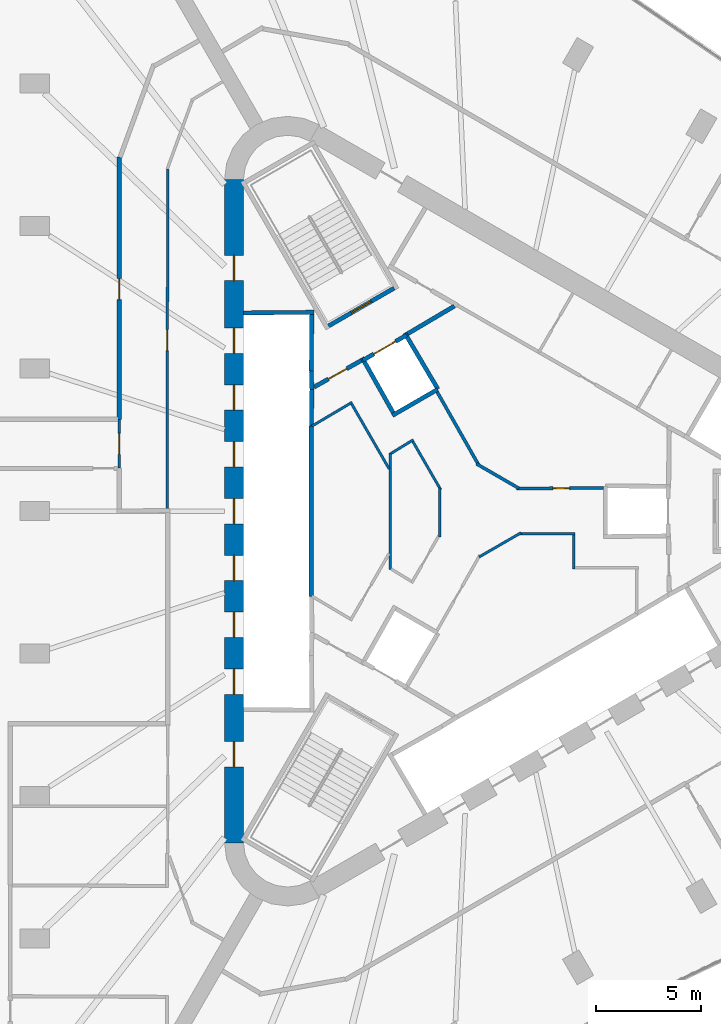
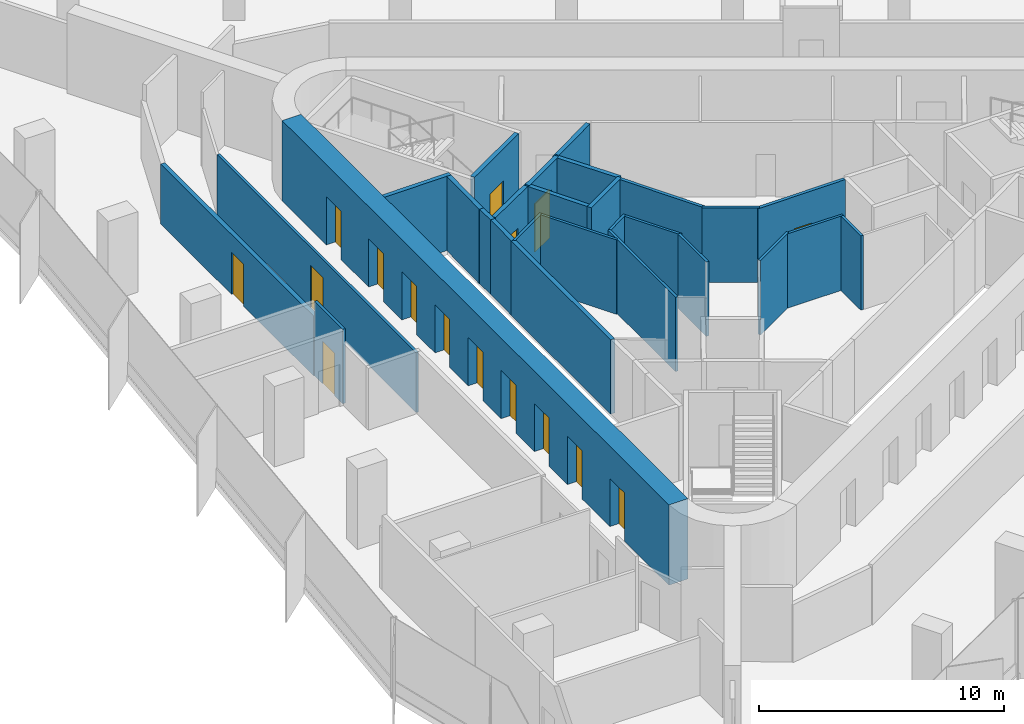
# One storey, part 10 of 13: 28 walls, 16 doors, 16 openings.
"""IFC4 building model written with IfcOpenShell, lengths in metres."""

from ifc_helpers import new_model, si_unit, direction, frame, frame_2d, origin, place, context, subcontext, project, spatial, rectangle, extrude, material, layer, layer_set, type_object, element, fill, save


model = new_model("IFC4")

# Units and contexts
model_context = context("Model", 3, precision=1e-05, world=origin(), true_north=direction((0.0, 1.0)))
body_context = subcontext(model_context, "Body", "Model", "MODEL_VIEW")
ifc_project = project(units=[si_unit("LENGTHUNIT", "METRE"), si_unit("AREAUNIT", "SQUARE_METRE"), si_unit("VOLUMEUNIT", "CUBIC_METRE"), si_unit("PLANEANGLEUNIT", "RADIAN"), si_unit("MASSUNIT", "GRAM", prefix="KILO")], contexts=[model_context])

# Site, building, storey
site_placement = place(None, origin())
site = spatial("IfcSite", under=ifc_project, at=site_placement, CompositionType="ELEMENT")
building_placement = place(site_placement, origin())
building = spatial("IfcBuilding", under=site, at=building_placement, Name="Tanit Gate Tower", CompositionType="ELEMENT")
storey_placement = place(building_placement, frame((0.0, 0.0, 269.199951171875)))
storey = spatial("IfcBuildingStorey", under=building, at=storey_placement, Name="L61", CompositionType="ELEMENT", Elevation=269.199951171875)

# Wall, openings, doors
ifc_material_1 = material(Name="Concrete C50/60", Category="concrete")
ifc_layer_1 = layer(ifc_material_1, 0.89990234375)
ifc_layer_set_1 = layer_set([ifc_layer_1], Name="CORE WALL 900 C50/60")
wall_type_1 = type_object("IfcWallType", Name="CORE WALL 900 C50/60", PredefinedType="SHEAR", material=ifc_layer_set_1)
wall_1_placement = place(storey_placement, frame((-11.64990234375, 15.76171875, 0.0), z_axis=(0.0, 0.0, 1.0), x_axis=(0.0, -1.0, 0.0)))
wall_1 = element("IfcWall", 1, at=wall_1_placement, inside=storey, type_object=wall_type_1, Name="CORE WALL", PredefinedType="SHEAR", context=body_context, shape_type="SweptSolid", body=[
    extrude(rectangle(XDim=31.5234375, YDim=0.89990234375, at=frame_2d((15.76171875, 0.0))), origin(), (0.0, 0.0, 1.0), 4.0),
])
opening_1_placement = place(wall_1_placement, frame((7.061767578125, 0.0, 0.0)))
opening_1 = element("IfcOpeningElement", 2, at=opening_1_placement, cuts=wall_1, Name="Opening LDML1-S17", PredefinedType="OPENING", context=body_context, shape_type="SweptSolid", body=[
    extrude(rectangle(XDim=1.199951171875, YDim=2.39990234375, at=frame_2d((0.60009765625, 1.199951171875))), frame((0.0, 0.4599609375, 0.0), z_axis=(0.0, -1.0, 0.0), x_axis=(1.0, 0.0, 0.0)), (0.0, 0.0, 1.0), 0.919921875),
])
opening_2_placement = place(wall_1_placement, frame((9.76171875, 0.0, 0.0)))
opening_2 = element("IfcOpeningElement", 3, at=opening_2_placement, cuts=wall_1, Name="Opening LDML2-S17", PredefinedType="OPENING", context=body_context, shape_type="SweptSolid", body=[
    extrude(rectangle(XDim=1.199951171875, YDim=2.39990234375, at=frame_2d((0.60009765625, 1.199951171875))), frame((0.0, 0.4599609375, 0.0), z_axis=(0.0, -1.0, 0.0), x_axis=(1.0, 0.0, 0.0)), (0.0, 0.0, 1.0), 0.919921875),
])
opening_3_placement = place(wall_1_placement, frame((12.461669921875, 0.0, 0.0)))
opening_3 = element("IfcOpeningElement", 4, at=opening_3_placement, cuts=wall_1, Name="Opening LDML3-S17", PredefinedType="OPENING", context=body_context, shape_type="SweptSolid", body=[
    extrude(rectangle(XDim=1.199951171875, YDim=2.39990234375, at=frame_2d((0.60009765625, 1.199951171875))), frame((0.0, 0.4599609375, 0.0), z_axis=(0.0, -1.0, 0.0), x_axis=(1.0, 0.0, 0.0)), (0.0, 0.0, 1.0), 0.919921875),
])
opening_4_placement = place(wall_1_placement, frame((15.16162109375, 0.0, 0.0)))
opening_4 = element("IfcOpeningElement", 5, at=opening_4_placement, cuts=wall_1, Name="Opening LDML4-S17", PredefinedType="OPENING", context=body_context, shape_type="SweptSolid", body=[
    extrude(rectangle(XDim=1.199951171875, YDim=2.39990234375, at=frame_2d((0.60009765625, 1.199951171875))), frame((0.0, 0.4599609375, 0.0), z_axis=(0.0, -1.0, 0.0), x_axis=(1.0, 0.0, 0.0)), (0.0, 0.0, 1.0), 0.919921875),
])
opening_5_placement = place(wall_1_placement, frame((17.86181640625, 0.0, 0.0)))
opening_5 = element("IfcOpeningElement", 6, at=opening_5_placement, cuts=wall_1, Name="Opening LDML5-S17", PredefinedType="OPENING", context=body_context, shape_type="SweptSolid", body=[
    extrude(rectangle(XDim=1.199951171875, YDim=2.39990234375, at=frame_2d((0.60009765625, 1.199951171875))), frame((0.0, 0.4599609375, 0.0), z_axis=(0.0, -1.0, 0.0), x_axis=(1.0, 0.0, 0.0)), (0.0, 0.0, 1.0), 0.919921875),
])
opening_6_placement = place(wall_1_placement, frame((20.561767578125, 0.0, 0.0)))
opening_6 = element("IfcOpeningElement", 7, at=opening_6_placement, cuts=wall_1, Name="Opening LDML6-S17", PredefinedType="OPENING", context=body_context, shape_type="SweptSolid", body=[
    extrude(rectangle(XDim=1.199951171875, YDim=2.39990234375, at=frame_2d((0.60009765625, 1.199951171875))), frame((0.0, 0.4599609375, 0.0), z_axis=(0.0, -1.0, 0.0), x_axis=(1.0, 0.0, 0.0)), (0.0, 0.0, 1.0), 0.919921875),
])
opening_7_placement = place(wall_1_placement, frame((23.26171875, 0.0, 0.0)))
opening_7 = element("IfcOpeningElement", 8, at=opening_7_placement, cuts=wall_1, Name="Opening LDML7-S17", PredefinedType="OPENING", context=body_context, shape_type="SweptSolid", body=[
    extrude(rectangle(XDim=1.199951171875, YDim=2.39990234375, at=frame_2d((0.60009765625, 1.199951171875))), frame((0.0, 0.4599609375, 0.0), z_axis=(0.0, -1.0, 0.0), x_axis=(1.0, 0.0, 0.0)), (0.0, 0.0, 1.0), 0.919921875),
])
opening_8_placement = place(wall_1_placement, frame((3.61181640625, 0.0, 0.0)))
opening_8 = element("IfcOpeningElement", 9, at=opening_8_placement, cuts=wall_1, Name="Opening F12-S17-FL2", PredefinedType="OPENING", context=body_context, shape_type="SweptSolid", body=[
    extrude(rectangle(XDim=1.199951171875, YDim=2.39990234375, at=frame_2d((0.60009765625, 1.199951171875))), frame((0.0, 0.4599609375, 0.0), z_axis=(0.0, -1.0, 0.0), x_axis=(1.0, 0.0, 0.0)), (0.0, 0.0, 1.0), 0.919921875),
])
opening_9_placement = place(wall_1_placement, frame((26.711669921875, 0.0, 0.0)))
opening_9 = element("IfcOpeningElement", 10, at=opening_9_placement, cuts=wall_1, Name="Opening F12-S17-S3", PredefinedType="OPENING", context=body_context, shape_type="SweptSolid", body=[
    extrude(rectangle(XDim=1.199951171875, YDim=2.39990234375, at=frame_2d((0.60009765625, 1.199951171875))), frame((0.0, 0.4599609375, 0.0), z_axis=(0.0, -1.0, 0.0), x_axis=(1.0, 0.0, 0.0)), (0.0, 0.0, 1.0), 0.919921875),
])
ifc_material_2 = material(Name="Fire-rated steel door leaf", Category="steel")
door_type_1 = type_object("IfcDoorType", Name="INT-DOOR-FIRE-LOBBY-1200", OperationType="NOTDEFINED", PredefinedType="USERDEFINED", material=ifc_material_2)
door_1_placement = place(opening_8_placement, origin())
door_1 = element("IfcDoor", 11, at=door_1_placement, inside=storey, type_object=door_type_1, Name="Door F12-S17-FL2", ObjectType="FIRE DOOR", OperationType="SINGLE_SWING_LEFT", OverallHeight=2.39990234375, OverallWidth=1.199951171875, PredefinedType="USERDEFINED", context=body_context, shape_type="SweptSolid", body=[
    extrude(rectangle(XDim=1.199951171875, YDim=2.39990234375, at=frame_2d((0.60009765625, 1.199951171875))), frame((0.0, 0.02490234375, 0.0), z_axis=(0.0, -1.0, 0.0), x_axis=(1.0, 0.0, 0.0)), (0.0, 0.0, 1.0), 0.050048828125),
])
fill(opening_8, door_1)
door_2_placement = place(opening_9_placement, origin())
door_2 = element("IfcDoor", 12, at=door_2_placement, inside=storey, type_object=door_type_1, Name="Door F12-S17-S3", ObjectType="FIRE DOOR", OperationType="SINGLE_SWING_LEFT", OverallHeight=2.39990234375, OverallWidth=1.199951171875, PredefinedType="USERDEFINED", context=body_context, shape_type="SweptSolid", body=[
    extrude(rectangle(XDim=1.199951171875, YDim=2.39990234375, at=frame_2d((0.60009765625, 1.199951171875))), frame((0.0, 0.02490234375, 0.0), z_axis=(0.0, -1.0, 0.0), x_axis=(1.0, 0.0, 0.0)), (0.0, 0.0, 1.0), 0.050048828125),
])
fill(opening_9, door_2)
ifc_material_3 = material(Name="Stainless steel sliding door leaf", Category="steel")
door_type_2 = type_object("IfcDoorType", Name="INT-DOOR-LANDING-1200", OperationType="NOTDEFINED", PredefinedType="USERDEFINED", material=ifc_material_3)
door_3_placement = place(opening_1_placement, origin())
door_3 = element("IfcDoor", 13, at=door_3_placement, inside=storey, type_object=door_type_2, Name="Door LDML1-S17", ObjectType="LANDING DOOR", OperationType="SLIDING_TO_LEFT", OverallHeight=2.39990234375, OverallWidth=1.199951171875, PredefinedType="USERDEFINED", context=body_context, shape_type="SweptSolid", body=[
    extrude(rectangle(XDim=1.199951171875, YDim=2.39990234375, at=frame_2d((0.60009765625, 1.199951171875))), frame((0.0, 0.02490234375, 0.0), z_axis=(0.0, -1.0, 0.0), x_axis=(1.0, 0.0, 0.0)), (0.0, 0.0, 1.0), 0.050048828125),
])
fill(opening_1, door_3)
door_4_placement = place(opening_2_placement, origin())
door_4 = element("IfcDoor", 14, at=door_4_placement, inside=storey, type_object=door_type_2, Name="Door LDML2-S17", ObjectType="LANDING DOOR", OperationType="SLIDING_TO_LEFT", OverallHeight=2.39990234375, OverallWidth=1.199951171875, PredefinedType="USERDEFINED", context=body_context, shape_type="SweptSolid", body=[
    extrude(rectangle(XDim=1.199951171875, YDim=2.39990234375, at=frame_2d((0.60009765625, 1.199951171875))), frame((0.0, 0.02490234375, 0.0), z_axis=(0.0, -1.0, 0.0), x_axis=(1.0, 0.0, 0.0)), (0.0, 0.0, 1.0), 0.050048828125),
])
fill(opening_2, door_4)
door_5_placement = place(opening_3_placement, origin())
door_5 = element("IfcDoor", 15, at=door_5_placement, inside=storey, type_object=door_type_2, Name="Door LDML3-S17", ObjectType="LANDING DOOR", OperationType="SLIDING_TO_LEFT", OverallHeight=2.39990234375, OverallWidth=1.199951171875, PredefinedType="USERDEFINED", context=body_context, shape_type="SweptSolid", body=[
    extrude(rectangle(XDim=1.199951171875, YDim=2.39990234375, at=frame_2d((0.60009765625, 1.199951171875))), frame((0.0, 0.02490234375, 0.0), z_axis=(0.0, -1.0, 0.0), x_axis=(1.0, 0.0, 0.0)), (0.0, 0.0, 1.0), 0.050048828125),
])
fill(opening_3, door_5)
door_6_placement = place(opening_4_placement, origin())
door_6 = element("IfcDoor", 16, at=door_6_placement, inside=storey, type_object=door_type_2, Name="Door LDML4-S17", ObjectType="LANDING DOOR", OperationType="SLIDING_TO_LEFT", OverallHeight=2.39990234375, OverallWidth=1.199951171875, PredefinedType="USERDEFINED", context=body_context, shape_type="SweptSolid", body=[
    extrude(rectangle(XDim=1.199951171875, YDim=2.39990234375, at=frame_2d((0.60009765625, 1.199951171875))), frame((0.0, 0.02490234375, 0.0), z_axis=(0.0, -1.0, 0.0), x_axis=(1.0, 0.0, 0.0)), (0.0, 0.0, 1.0), 0.050048828125),
])
fill(opening_4, door_6)
door_7_placement = place(opening_5_placement, origin())
door_7 = element("IfcDoor", 17, at=door_7_placement, inside=storey, type_object=door_type_2, Name="Door LDML5-S17", ObjectType="LANDING DOOR", OperationType="SLIDING_TO_LEFT", OverallHeight=2.39990234375, OverallWidth=1.199951171875, PredefinedType="USERDEFINED", context=body_context, shape_type="SweptSolid", body=[
    extrude(rectangle(XDim=1.199951171875, YDim=2.39990234375, at=frame_2d((0.60009765625, 1.199951171875))), frame((0.0, 0.02490234375, 0.0), z_axis=(0.0, -1.0, 0.0), x_axis=(1.0, 0.0, 0.0)), (0.0, 0.0, 1.0), 0.050048828125),
])
fill(opening_5, door_7)
door_8_placement = place(opening_6_placement, origin())
door_8 = element("IfcDoor", 18, at=door_8_placement, inside=storey, type_object=door_type_2, Name="Door LDML6-S17", ObjectType="LANDING DOOR", OperationType="SLIDING_TO_LEFT", OverallHeight=2.39990234375, OverallWidth=1.199951171875, PredefinedType="USERDEFINED", context=body_context, shape_type="SweptSolid", body=[
    extrude(rectangle(XDim=1.199951171875, YDim=2.39990234375, at=frame_2d((0.60009765625, 1.199951171875))), frame((0.0, 0.02490234375, 0.0), z_axis=(0.0, -1.0, 0.0), x_axis=(1.0, 0.0, 0.0)), (0.0, 0.0, 1.0), 0.050048828125),
])
fill(opening_6, door_8)
door_9_placement = place(opening_7_placement, origin())
door_9 = element("IfcDoor", 19, at=door_9_placement, inside=storey, type_object=door_type_2, Name="Door LDML7-S17", ObjectType="LANDING DOOR", OperationType="SLIDING_TO_LEFT", OverallHeight=2.39990234375, OverallWidth=1.199951171875, PredefinedType="USERDEFINED", context=body_context, shape_type="SweptSolid", body=[
    extrude(rectangle(XDim=1.199951171875, YDim=2.39990234375, at=frame_2d((0.60009765625, 1.199951171875))), frame((0.0, 0.02490234375, 0.0), z_axis=(0.0, -1.0, 0.0), x_axis=(1.0, 0.0, 0.0)), (0.0, 0.0, 1.0), 0.050048828125),
])
fill(opening_7, door_9)

# Wall
ifc_material_4 = material(Name="Fire-rated gypsum board partition")
ifc_layer_2 = layer(ifc_material_4, 0.199951171875)
ifc_layer_set_2 = layer_set([ifc_layer_2], Name="INT-WALL-COMPARTMENT")
wall_type_2 = type_object("IfcWallType", Name="INT-WALL-COMPARTMENT", PredefinedType="PARTITIONING", material=ifc_layer_set_2)
wall_2_placement = place(storey_placement, frame((-1.1787109375, 9.744873046875, 0.0), z_axis=(0.0, 0.0, 1.0), x_axis=(-0.860630814782, -0.509229418482, 0.0)))
element("IfcWall", 20, at=wall_2_placement, inside=storey, type_object=wall_type_2, Name="Wall Compartment W061", PredefinedType="PARTITIONING", context=body_context, shape_type="SweptSolid", body=[
    extrude(rectangle(XDim=2.581787109375, YDim=0.199951171875, at=frame_2d((1.291015625, 0.0))), origin(), (0.0, 0.0, 1.0), 3.699951171875),
])

# Wall, opening, door
wall_3_placement = place(storey_placement, frame((-5.600341796875, 7.16015625, 0.0), z_axis=(0.0, 0.0, 1.0), x_axis=(-0.871363259478, -0.490638431059, 0.0)))
wall_3 = element("IfcWall", 21, at=wall_3_placement, inside=storey, type_object=wall_type_2, Name="Wall Compartment W062", PredefinedType="PARTITIONING", context=body_context, shape_type="SweptSolid", body=[
    extrude(rectangle(XDim=2.5810546875, YDim=0.199951171875, at=frame_2d((1.29052734375, 0.0))), origin(), (0.0, 0.0, 1.0), 3.699951171875),
])
opening_10_placement = place(wall_3_placement, frame((0.79052734375, 0.0, 0.0)))
opening_10 = element("IfcOpeningElement", 22, at=opening_10_placement, cuts=wall_3, Name="Opening F10-S17-05", PredefinedType="OPENING", context=body_context, shape_type="SweptSolid", body=[
    extrude(rectangle(XDim=1.0, YDim=2.10009765625, at=frame_2d((0.5, 1.050048828125))), frame((0.0, 0.10986328125, 0.0), z_axis=(0.0, -1.0, 0.0), x_axis=(1.0, 0.0, 0.0)), (0.0, 0.0, 1.0), 0.219970703125),
])
ifc_material_5 = material(Name="Fire-rated steel door leaf", Category="steel")
door_type_3 = type_object("IfcDoorType", Name="INT-DOOR-FIRE-1000", OperationType="NOTDEFINED", PredefinedType="USERDEFINED", material=ifc_material_5)
door_10_placement = place(opening_10_placement, origin())
door_10 = element("IfcDoor", 23, at=door_10_placement, inside=storey, type_object=door_type_3, Name="Door F10-S17-05", ObjectType="FIRE DOOR", OperationType="SINGLE_SWING_RIGHT", OverallHeight=2.10009765625, OverallWidth=1.0, PredefinedType="USERDEFINED", context=body_context, shape_type="SweptSolid", body=[
    extrude(rectangle(XDim=1.0, YDim=2.10009765625, at=frame_2d((0.5, 1.050048828125))), frame((0.0, 0.02490234375, 0.0), z_axis=(0.0, -1.0, 0.0), x_axis=(1.0, 0.0, 0.0)), (0.0, 0.0, 1.0), 0.050048828125),
])
fill(opening_10, door_10)

wall_4_placement = place(storey_placement, frame((-17.10009765625, 16.82275390625, 0.0), z_axis=(0.0, 0.0, 1.0), x_axis=(0.0, -1.0, 0.0)))
wall_4 = element("IfcWall", 24, at=wall_4_placement, inside=storey, type_object=wall_type_2, Name="Wall Compartment W090", PredefinedType="PARTITIONING", context=body_context, shape_type="SweptSolid", body=[
    extrude(rectangle(XDim=12.47265625, YDim=0.199951171875, at=frame_2d((6.236328125, 0.0))), origin(), (0.0, 0.0, 1.0), 2.97998046875),
])
opening_11_placement = place(wall_4_placement, frame((5.7763671875, 0.0, 0.0)))
opening_11 = element("IfcOpeningElement", 25, at=opening_11_placement, cuts=wall_4, Name="Opening F10-S17-28", PredefinedType="OPENING", context=body_context, shape_type="SweptSolid", body=[
    extrude(rectangle(XDim=1.0, YDim=2.10009765625, at=frame_2d((0.5, 1.050048828125))), frame((0.0, 0.10986328125, 0.0), z_axis=(0.0, -1.0, 0.0), x_axis=(1.0, 0.0, 0.0)), (0.0, 0.0, 1.0), 0.219970703125),
])
door_11_placement = place(opening_11_placement, origin())
door_11 = element("IfcDoor", 26, at=door_11_placement, inside=storey, type_object=door_type_3, Name="Door F10-S17-28", ObjectType="FIRE DOOR", OperationType="SINGLE_SWING_RIGHT", OverallHeight=2.10009765625, OverallWidth=1.0, PredefinedType="USERDEFINED", context=body_context, shape_type="SweptSolid", body=[
    extrude(rectangle(XDim=1.0, YDim=2.10009765625, at=frame_2d((0.5, 1.050048828125))), frame((0.0, 0.02490234375, 0.0), z_axis=(0.0, -1.0, 0.0), x_axis=(1.0, 0.0, 0.0)), (0.0, 0.0, 1.0), 0.050048828125),
])
fill(opening_11, door_11)

# Walls
ifc_material_6 = material(Name="Gypsum board partition")
ifc_layer_3 = layer(ifc_material_6, 0.1201171875)
ifc_layer_set_3 = layer_set([ifc_layer_3], Name="INT-WALL-PARTITION")
wall_type_3 = type_object("IfcWallType", Name="INT-WALL-PARTITION", PredefinedType="PARTITIONING", material=ifc_layer_set_3)
wall_5_placement = place(storey_placement, frame((1.995361328125, -1.02294921875, 0.0), z_axis=(0.0, 0.0, 1.0), x_axis=(-0.866043041921, -0.499969448606, 0.0)))
element("IfcWall", 27, at=wall_5_placement, inside=storey, type_object=wall_type_3, Name="Wall Partition W069", PredefinedType="PARTITIONING", context=body_context, shape_type="SweptSolid", body=[
    extrude(rectangle(XDim=2.310302734375, YDim=0.1201171875, at=frame_2d((1.1552734375, 0.0))), origin(), (0.0, 0.0, 1.0), 3.699951171875),
])
wall_6_placement = place(storey_placement, frame((4.56005859375, -1.074951171875, 0.0), z_axis=(0.0, 0.0, 1.0), x_axis=(-1.0, 0.0, 0.0)))
element("IfcWall", 28, at=wall_6_placement, inside=storey, type_object=wall_type_3, Name="Wall Partition W070", PredefinedType="PARTITIONING", context=body_context, shape_type="SweptSolid", body=[
    extrude(rectangle(XDim=2.63623046875, YDim=0.1201171875, at=frame_2d((1.318115234375, 0.0))), origin(), (0.0, 0.0, 1.0), 3.699951171875),
])
wall_7_placement = place(storey_placement, frame((4.5, -2.760009765625, 0.0), z_axis=(0.0, 0.0, 1.0), x_axis=(0.0, 1.0, 0.0)))
element("IfcWall", 29, at=wall_7_placement, inside=storey, type_object=wall_type_3, Name="Wall Partition W071", PredefinedType="PARTITIONING", context=body_context, shape_type="SweptSolid", body=[
    extrude(rectangle(XDim=1.625, YDim=0.1201171875, at=frame_2d((0.8125, 0.0))), origin(), (0.0, 0.0, 1.0), 3.699951171875),
])
wall_8_placement = place(storey_placement, frame((-4.21875, -2.760498046875, 0.0), z_axis=(0.0, 0.0, 1.0), x_axis=(0.0, 1.0, 0.0)))
element("IfcWall", 30, at=wall_8_placement, inside=storey, type_object=wall_type_3, Name="Wall Partition W074", PredefinedType="PARTITIONING", context=body_context, shape_type="SweptSolid", body=[
    extrude(rectangle(XDim=5.52099609375, YDim=0.1201171875, at=frame_2d((2.760498046875, 0.0))), origin(), (0.0, 0.0, 1.0), 3.699951171875),
])
wall_9_placement = place(storey_placement, frame((-6.03662109375, 5.17578125, 0.0), z_axis=(0.0, 0.0, 1.0), x_axis=(-0.860106072674, -0.510115225953, 0.0)))
element("IfcWall", 31, at=wall_9_placement, inside=storey, type_object=wall_type_3, Name="Wall Partition W077", PredefinedType="PARTITIONING", context=body_context, shape_type="SweptSolid", body=[
    extrude(rectangle(XDim=2.224609375, YDim=0.1201171875, at=frame_2d((1.1123046875, 0.0))), origin(), (0.0, 0.0, 1.0), 3.699951171875),
])
wall_10_placement = place(storey_placement, frame((-4.27880859375, 2.01123046875, 0.0), z_axis=(0.0, 0.0, 1.0), x_axis=(-0.500027278734, 0.866009653827, 0.0)))
element("IfcWall", 32, at=wall_10_placement, inside=storey, type_object=wall_type_3, Name="Wall Partition W078", PredefinedType="PARTITIONING", context=body_context, shape_type="SweptSolid", body=[
    extrude(rectangle(XDim=3.558837890625, YDim=0.1201171875, at=frame_2d((1.779296875, 0.0))), origin(), (0.0, 0.0, 1.0), 3.699951171875),
])
wall_11_placement = place(storey_placement, frame((-3.1298828125, 3.390869140625, 0.0), z_axis=(0.0, 0.0, 1.0), x_axis=(-0.853228335638, -0.521537541567, 0.0)))
element("IfcWall", 33, at=wall_11_placement, inside=storey, type_object=wall_type_3, Name="Wall Partition W079", PredefinedType="PARTITIONING", context=body_context, shape_type="SweptSolid", body=[
    extrude(rectangle(XDim=1.240966796875, YDim=0.1201171875, at=frame_2d((0.62060546875, 0.0))), origin(), (0.0, 0.0, 1.0), 3.699951171875),
])
wall_12_placement = place(storey_placement, frame((-1.83154296875, 1.0224609375, 0.0), z_axis=(0.0, 0.0, 1.0), x_axis=(-0.500000102728, 0.866025344474, 0.0)))
element("IfcWall", 34, at=wall_12_placement, inside=storey, type_object=wall_type_3, Name="Wall Partition W080", PredefinedType="PARTITIONING", context=body_context, shape_type="SweptSolid", body=[
    extrude(rectangle(XDim=2.638671875, YDim=0.1201171875, at=frame_2d((1.3193359375, 0.0))), origin(), (0.0, 0.0, 1.0), 3.699951171875),
])
wall_13_placement = place(storey_placement, frame((-1.883544921875, -1.21630859375, 0.0), z_axis=(0.0, 0.0, 1.0), x_axis=(0.0, 1.0, 0.0)))
element("IfcWall", 35, at=wall_13_placement, inside=storey, type_object=wall_type_3, Name="Wall Partition W081", PredefinedType="PARTITIONING", context=body_context, shape_type="SweptSolid", body=[
    extrude(rectangle(XDim=2.310302734375, YDim=0.1201171875, at=frame_2d((1.1552734375, 0.0))), origin(), (0.0, 0.0, 1.0), 3.699951171875),
])

# Wall, opening, door
wall_14_placement = place(storey_placement, frame((-14.800048828125, 16.257080078125, 0.0), z_axis=(0.0, 0.0, 1.0), x_axis=(-0.001847148781, -0.999998294019, 0.0)))
wall_14 = element("IfcWall", 36, at=wall_14_placement, inside=storey, type_object=wall_type_3, Name="Wall Partition W086", PredefinedType="PARTITIONING", context=body_context, shape_type="SweptSolid", body=[
    extrude(rectangle(XDim=16.257080078125, YDim=0.1201171875, at=frame_2d((8.12841796875, 0.0))), origin(), (0.0, 0.0, 1.0), 2.97998046875),
])
opening_12_placement = place(wall_14_placement, frame((7.628662109375, 0.0, 0.0)))
opening_12 = element("IfcOpeningElement", 37, at=opening_12_placement, cuts=wall_14, Name="Opening D10-S17-19", PredefinedType="OPENING", context=body_context, shape_type="SweptSolid", body=[
    extrude(rectangle(XDim=1.0, YDim=2.10009765625, at=frame_2d((0.5, 1.050048828125))), frame((0.0, 0.070068359375, 0.0), z_axis=(0.0, -1.0, 0.0), x_axis=(1.0, 0.0, 0.0)), (0.0, 0.0, 1.0), 0.14013671875),
])
ifc_material_7 = material(Name="Timber door leaf", Category="wood")
door_type_4 = type_object("IfcDoorType", Name="INT-DOOR-SINGLE-1000", OperationType="NOTDEFINED", PredefinedType="NOTDEFINED", material=ifc_material_7)
door_12_placement = place(opening_12_placement, origin())
door_12 = element("IfcDoor", 38, at=door_12_placement, inside=storey, type_object=door_type_4, Name="Door D10-S17-19", OperationType="SINGLE_SWING_LEFT", OverallHeight=2.10009765625, OverallWidth=1.0, PredefinedType="NOTDEFINED", context=body_context, shape_type="SweptSolid", body=[
    extrude(rectangle(XDim=1.0, YDim=2.10009765625, at=frame_2d((0.5, 1.050048828125))), frame((0.0, 0.02490234375, 0.0), z_axis=(0.0, -1.0, 0.0), x_axis=(1.0, 0.0, 0.0)), (0.0, 0.0, 1.0), 0.050048828125),
])
fill(opening_12, door_12)

wall_15_placement = place(storey_placement, frame((-17.10009765625, 4.35009765625, 0.0), z_axis=(0.0, 0.0, 1.0), x_axis=(0.0, -1.0, 0.0)))
wall_15 = element("IfcWall", 39, at=wall_15_placement, inside=storey, type_object=wall_type_3, Name="Wall Partition W087", PredefinedType="PARTITIONING", context=body_context, shape_type="SweptSolid", body=[
    extrude(rectangle(XDim=2.300048828125, YDim=0.1201171875, at=frame_2d((1.14990234375, 0.0))), origin(), (0.0, 0.0, 1.0), 3.699951171875),
])
opening_13_placement = place(wall_15_placement, frame((0.64990234375, 0.0, 0.0)))
opening_13 = element("IfcOpeningElement", 40, at=opening_13_placement, cuts=wall_15, Name="Opening D10-S17-20", PredefinedType="OPENING", context=body_context, shape_type="SweptSolid", body=[
    extrude(rectangle(XDim=1.0, YDim=2.10009765625, at=frame_2d((0.5, 1.050048828125))), frame((0.0, 0.070068359375, 0.0), z_axis=(0.0, -1.0, 0.0), x_axis=(1.0, 0.0, 0.0)), (0.0, 0.0, 1.0), 0.14013671875),
])
door_13_placement = place(opening_13_placement, origin())
door_13 = element("IfcDoor", 41, at=door_13_placement, inside=storey, type_object=door_type_4, Name="Door D10-S17-20", OperationType="SINGLE_SWING_LEFT", OverallHeight=2.10009765625, OverallWidth=1.0, PredefinedType="NOTDEFINED", context=body_context, shape_type="SweptSolid", body=[
    extrude(rectangle(XDim=1.0, YDim=2.10009765625, at=frame_2d((0.5, 1.050048828125))), frame((0.0, 0.02490234375, 0.0), z_axis=(0.0, -1.0, 0.0), x_axis=(1.0, 0.0, 0.0)), (0.0, 0.0, 1.0), 0.050048828125),
])
fill(opening_13, door_13)

ifc_material_8 = material(Name="Fire-rated gypsum board partition")
ifc_layer_4 = layer(ifc_material_8, 0.14990234375)
ifc_layer_set_4 = layer_set([ifc_layer_4], Name="INT-WALL-RISER")
wall_type_4 = type_object("IfcWallType", Name="INT-WALL-RISER", PredefinedType="PLUMBINGWALL", material=ifc_layer_set_4)
wall_16_placement = place(storey_placement, frame((1.777587890625, 1.073974609375, 0.0), z_axis=(0.0, 0.0, 1.0), x_axis=(0.999973898196, 0.007225159347, 0.0)))
wall_16 = element("IfcWall", 42, at=wall_16_placement, inside=storey, type_object=wall_type_4, Name="Wall Riser W065", PredefinedType="PLUMBINGWALL", context=body_context, shape_type="SweptSolid", body=[
    extrude(rectangle(XDim=4.122314453125, YDim=0.14990234375, at=frame_2d((2.06103515625, 0.0))), origin(), (0.0, 0.0, 1.0), 3.699951171875),
])
opening_14_placement = place(wall_16_placement, frame((1.72509765625, 0.0, 0.0)))
opening_14 = element("IfcOpeningElement", 43, at=opening_14_placement, cuts=wall_16, Name="Opening R08-S17-10", PredefinedType="OPENING", context=body_context, shape_type="SweptSolid", body=[
    extrude(rectangle(XDim=0.800048828125, YDim=2.10009765625, at=frame_2d((0.39990234375, 1.050048828125))), frame((0.0, 0.0849609375, 0.0), z_axis=(0.0, -1.0, 0.0), x_axis=(1.0, 0.0, 0.0)), (0.0, 0.0, 1.0), 0.169921875),
])
ifc_material_9 = material(Name="Timber door leaf", Category="wood")
door_type_5 = type_object("IfcDoorType", Name="INT-DOOR-RISER-800", OperationType="NOTDEFINED", PredefinedType="USERDEFINED", material=ifc_material_9)
door_14_placement = place(opening_14_placement, origin())
door_14 = element("IfcDoor", 44, at=door_14_placement, inside=storey, type_object=door_type_5, Name="Door R08-S17-10", ObjectType="FIRE DOOR", OperationType="SINGLE_SWING_RIGHT", OverallHeight=2.10009765625, OverallWidth=0.800048828125, PredefinedType="USERDEFINED", context=body_context, shape_type="SweptSolid", body=[
    extrude(rectangle(XDim=0.800048828125, YDim=2.10009765625, at=frame_2d((0.39990234375, 1.050048828125))), frame((0.0, 0.02490234375, 0.0), z_axis=(0.0, -1.0, 0.0), x_axis=(1.0, 0.0, 0.0)), (0.0, 0.0, 1.0), 0.050048828125),
])
fill(opening_14, door_14)

# Walls
wall_17_placement = place(storey_placement, frame((-0.13232421875, 2.25146484375, 0.0), z_axis=(0.0, 0.0, 1.0), x_axis=(0.866028486751, -0.499994660107, 0.0)))
element("IfcWall", 45, at=wall_17_placement, inside=storey, type_object=wall_type_4, Name="Wall Riser W066", PredefinedType="PLUMBINGWALL", context=body_context, shape_type="SweptSolid", body=[
    extrude(rectangle(XDim=2.3291015625, YDim=0.14990234375, at=frame_2d((1.16455078125, 0.0))), origin(), (0.0, 0.0, 1.0), 3.699951171875),
])
wall_18_placement = place(storey_placement, frame((-1.994140625, 5.661376953125, 0.0), z_axis=(0.0, 0.0, 1.0), x_axis=(0.493780191404, -0.869586753911, 0.0)))
element("IfcWall", 46, at=wall_18_placement, inside=storey, type_object=wall_type_4, Name="Wall Riser W067", PredefinedType="PLUMBINGWALL", context=body_context, shape_type="SweptSolid", body=[
    extrude(rectangle(XDim=3.97119140625, YDim=0.14990234375, at=frame_2d((1.985595703125, 0.0))), origin(), (0.0, 0.0, 1.0), 3.699951171875),
])
ifc_material_10 = material(Name="Gypsum shaft wall system")
ifc_layer_5 = layer(ifc_material_10, 0.199951171875)
ifc_layer_set_5 = layer_set([ifc_layer_5], Name="INT-WALL-SHAFT")
wall_type_5 = type_object("IfcWallType", Name="INT-WALL-SHAFT", PredefinedType="PLUMBINGWALL", material=ifc_layer_set_5)
wall_19_placement = place(storey_placement, frame((-11.199951171875, 9.419921875, 0.0), z_axis=(0.0, 0.0, 1.0), x_axis=(0.999957167047, 0.009255488683, 0.0)))
element("IfcWall", 47, at=wall_19_placement, inside=storey, type_object=wall_type_5, Name="Wall Shaft W001", PredefinedType="PLUMBINGWALL", context=body_context, shape_type="SweptSolid", body=[
    extrude(rectangle(XDim=3.35009765625, YDim=0.199951171875, at=frame_2d((1.675048828125, 0.0))), origin(), (0.0, 0.0, 1.0), 3.699951171875),
])
wall_20_placement = place(storey_placement, frame((-7.951171875, 9.35009765625, 0.0), z_axis=(0.0, 0.0, 1.0), x_axis=(-0.011120469654, -0.999938165666, 0.0)))
element("IfcWall", 48, at=wall_20_placement, inside=storey, type_object=wall_type_5, Name="Wall Shaft W002", PredefinedType="PLUMBINGWALL", context=body_context, shape_type="SweptSolid", body=[
    extrude(rectangle(XDim=2.700439453125, YDim=0.199951171875, at=frame_2d((1.35009765625, 0.0))), origin(), (0.0, 0.0, 1.0), 3.699951171875),
])
wall_21_placement = place(storey_placement, frame((-7.97705078125, 6.650146484375, 0.0), z_axis=(0.0, 0.0, 1.0), x_axis=(0.030861509705, -0.999523670164, 0.0)))
element("IfcWall", 49, at=wall_21_placement, inside=storey, type_object=wall_type_5, Name="Wall Shaft W003", PredefinedType="PLUMBINGWALL", context=body_context, shape_type="SweptSolid", body=[
    extrude(rectangle(XDim=0.878173828125, YDim=0.199951171875, at=frame_2d((0.43896484375, 0.0))), origin(), (0.0, 0.0, 1.0), 3.699951171875),
])
wall_22_placement = place(storey_placement, frame((-7.94921875, 5.894775390625, 0.0), z_axis=(0.0, 0.0, 1.0), x_axis=(-0.012042535896, -0.999927486035, 0.0)))
element("IfcWall", 50, at=wall_22_placement, inside=storey, type_object=wall_type_5, Name="Wall Shaft W004", PredefinedType="PLUMBINGWALL", context=body_context, shape_type="SweptSolid", body=[
    extrude(rectangle(XDim=1.844970703125, YDim=0.199951171875, at=frame_2d((0.92236328125, 0.0))), origin(), (0.0, 0.0, 1.0), 3.699951171875),
])
wall_23_placement = place(storey_placement, frame((-7.97998046875, 4.050048828125, 0.0), z_axis=(0.0, 0.0, 1.0), x_axis=(0.0, -1.0, 0.0)))
element("IfcWall", 51, at=wall_23_placement, inside=storey, type_object=wall_type_5, Name="Wall Shaft W005", PredefinedType="PLUMBINGWALL", context=body_context, shape_type="SweptSolid", body=[
    extrude(rectangle(XDim=8.10009765625, YDim=0.199951171875, at=frame_2d((4.050048828125, 0.0))), origin(), (0.0, 0.0, 1.0), 3.699951171875),
])

# Wall, opening, door
wall_24_placement = place(storey_placement, frame((-5.524169921875, 7.168212890625, 0.0), z_axis=(0.0, 0.0, 1.0), x_axis=(0.866024647952, 0.500001309137, 0.0)))
wall_24 = element("IfcWall", 52, at=wall_24_placement, inside=storey, type_object=wall_type_5, Name="Wall Shaft W037", PredefinedType="PLUMBINGWALL", context=body_context, shape_type="SweptSolid", body=[
    extrude(rectangle(XDim=2.39990234375, YDim=0.199951171875, at=frame_2d((1.199951171875, 0.0))), origin(), (0.0, 0.0, 1.0), 3.699951171875),
])
opening_15_placement = place(wall_24_placement, frame((0.60009765625, 0.0, 0.0)))
opening_15 = element("IfcOpeningElement", 53, at=opening_15_placement, cuts=wall_24, Name="Opening LDFL2-L61", PredefinedType="OPENING", context=body_context, shape_type="SweptSolid", body=[
    extrude(rectangle(XDim=1.199951171875, YDim=2.39990234375, at=frame_2d((0.60009765625, 1.199951171875))), frame((0.0, 0.10986328125, 0.0), z_axis=(0.0, -1.0, 0.0), x_axis=(1.0, 0.0, 0.0)), (0.0, 0.0, 1.0), 0.219970703125),
])
door_15_placement = place(opening_15_placement, origin())
door_15 = element("IfcDoor", 54, at=door_15_placement, inside=storey, type_object=door_type_2, Name="Door LDFL2-L61", ObjectType="LANDING DOOR", OperationType="SLIDING_TO_LEFT", OverallHeight=2.39990234375, OverallWidth=1.199951171875, PredefinedType="USERDEFINED", context=body_context, shape_type="SweptSolid", body=[
    extrude(rectangle(XDim=1.199951171875, YDim=2.39990234375, at=frame_2d((0.60009765625, 1.199951171875))), frame((0.0, 0.02490234375, 0.0), z_axis=(0.0, -1.0, 0.0), x_axis=(1.0, 0.0, 0.0)), (0.0, 0.0, 1.0), 0.050048828125),
])
fill(opening_15, door_15)

# Walls
wall_25_placement = place(storey_placement, frame((-3.53759765625, 8.46533203125, 0.0), z_axis=(0.0, 0.0, 1.0), x_axis=(0.508647062354, -0.860975125052, 0.0)))
element("IfcWall", 55, at=wall_25_placement, inside=storey, type_object=wall_type_5, Name="Wall Shaft W038", PredefinedType="PLUMBINGWALL", context=body_context, shape_type="SweptSolid", body=[
    extrude(rectangle(XDim=3.10009765625, YDim=0.199951171875, at=frame_2d((1.550048828125, 0.0))), origin(), (0.0, 0.0, 1.0), 3.699951171875),
])
wall_26_placement = place(storey_placement, frame((-1.978515625, 5.785888671875, 0.0), z_axis=(0.0, 0.0, 1.0), x_axis=(-0.866016689309, -0.500015093611, 0.0)))
element("IfcWall", 56, at=wall_26_placement, inside=storey, type_object=wall_type_5, Name="Wall Shaft W039", PredefinedType="PLUMBINGWALL", context=body_context, shape_type="SweptSolid", body=[
    extrude(rectangle(XDim=2.4794921875, YDim=0.199951171875, at=frame_2d((1.23974609375, 0.0))), origin(), (0.0, 0.0, 1.0), 3.699951171875),
])
wall_27_placement = place(storey_placement, frame((-5.5625, 7.29638671875, 0.0), z_axis=(0.0, 0.0, 1.0), x_axis=(0.49134651263, -0.870964180966, 0.0)))
element("IfcWall", 57, at=wall_27_placement, inside=storey, type_object=wall_type_5, Name="Wall Shaft W040", PredefinedType="PLUMBINGWALL", context=body_context, shape_type="SweptSolid", body=[
    extrude(rectangle(XDim=3.000244140625, YDim=0.199951171875, at=frame_2d((1.5, 0.0))), origin(), (0.0, 0.0, 1.0), 3.699951171875),
])

# Wall, opening, door
ifc_material_11 = material(Name="Concrete C40/50", Category="concrete")
ifc_layer_6 = layer(ifc_material_11, 0.199951171875)
ifc_layer_set_6 = layer_set([ifc_layer_6], Name="INT-WALL-STAIR")
wall_type_6 = type_object("IfcWallType", Name="INT-WALL-STAIR", PredefinedType="SHEAR", material=ifc_layer_set_6)
wall_28_placement = place(storey_placement, frame((-7.158935546875, 8.799560546875, -0.300048828125), z_axis=(0.0, 0.0, 1.0), x_axis=(0.866047807691, 0.499961193289, 0.0)))
wall_28 = element("IfcWall", 58, at=wall_28_placement, inside=storey, type_object=wall_type_6, Name="Wall Stair W036", PredefinedType="SHEAR", context=body_context, shape_type="SweptSolid", body=[
    extrude(rectangle(XDim=3.599853515625, YDim=0.199951171875, at=frame_2d((1.7998046875, 0.0))), origin(), (0.0, 0.0, 1.0), 4.0),
])
opening_16_placement = place(wall_28_placement, frame((1.25, 0.0, 0.300048828125)))
opening_16 = element("IfcOpeningElement", 59, at=opening_16_placement, cuts=wall_28, Name="Opening S11-S17-04", PredefinedType="OPENING", context=body_context, shape_type="SweptSolid", body=[
    extrude(rectangle(XDim=1.10009765625, YDim=2.10009765625, at=frame_2d((0.550048828125, 1.050048828125))), frame((0.0, 0.10986328125, 0.0), z_axis=(0.0, -1.0, 0.0), x_axis=(1.0, 0.0, 0.0)), (0.0, 0.0, 1.0), 0.219970703125),
])
ifc_material_12 = material(Name="Timber door leaf", Category="wood")
door_type_6 = type_object("IfcDoorType", Name="INT-DOOR-STAIR-1100", OperationType="NOTDEFINED", PredefinedType="USERDEFINED", material=ifc_material_12)
door_16_placement = place(opening_16_placement, origin())
door_16 = element("IfcDoor", 60, at=door_16_placement, inside=storey, type_object=door_type_6, Name="Door S11-S17-04", ObjectType="FIRE DOOR", OperationType="SINGLE_SWING_LEFT", OverallHeight=2.10009765625, OverallWidth=1.10009765625, PredefinedType="USERDEFINED", context=body_context, shape_type="SweptSolid", body=[
    extrude(rectangle(XDim=1.10009765625, YDim=2.10009765625, at=frame_2d((0.550048828125, 1.050048828125))), frame((0.0, 0.02490234375, 0.0), z_axis=(0.0, -1.0, 0.0), x_axis=(1.0, 0.0, 0.0)), (0.0, 0.0, 1.0), 0.050048828125),
])
fill(opening_16, door_16)

save(model, "model.ifc")
